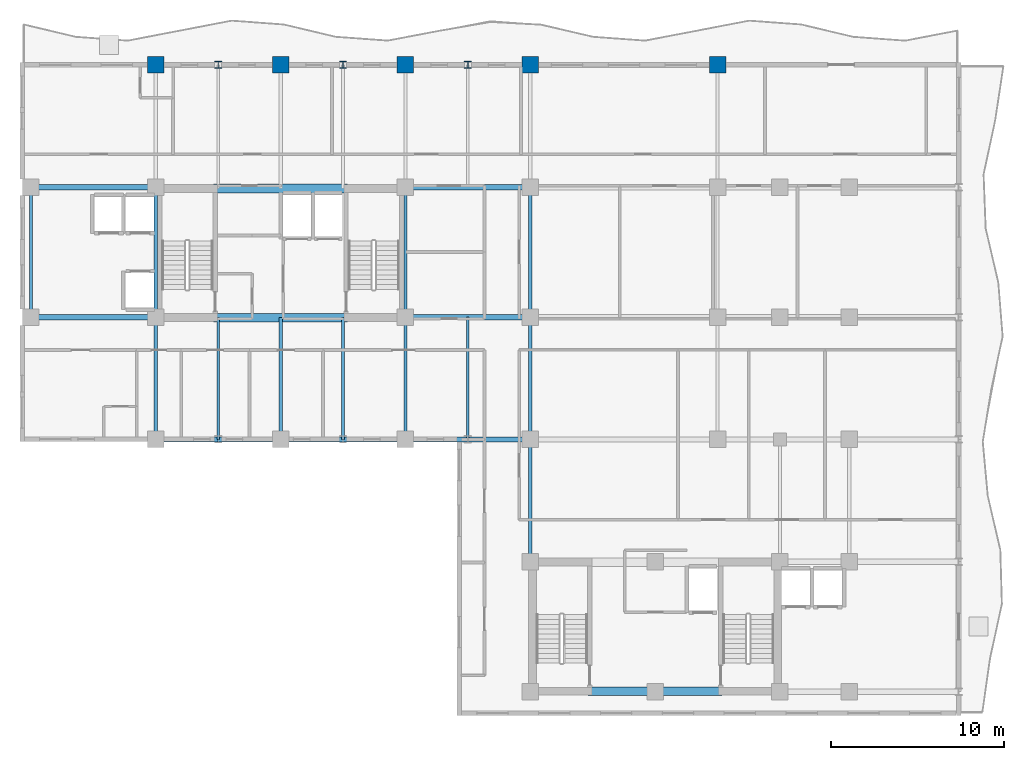
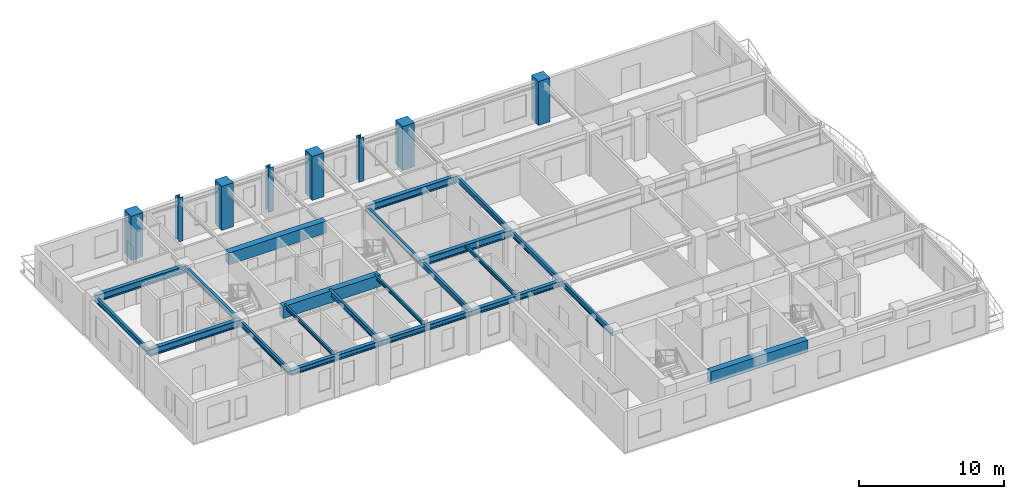
# One storey, part 3 of 13: 25 beams, 8 columns.
"""IFC4 building model written with IfcOpenShell, lengths in metres."""

from ifc_helpers import new_model, si_unit, direction, frame, origin, origin_2d, place, context, subcontext, project, spatial, rectangle, i_section, extrude, source, transform, mapped, material, material_profile, profile_set, type_object, element, save


model = new_model("IFC4")

# Units and contexts
model_context = context("Model", 3, precision=1e-05, world=origin(), true_north=direction((0.0, 1.0)))
body_context = subcontext(model_context, "Body", "Model", "MODEL_VIEW")
ifc_project = project(units=[si_unit("LENGTHUNIT", "METRE"), si_unit("AREAUNIT", "SQUARE_METRE"), si_unit("VOLUMEUNIT", "CUBIC_METRE"), si_unit("PLANEANGLEUNIT", "RADIAN"), si_unit("MASSUNIT", "GRAM", prefix="KILO")], contexts=[model_context])

# Site, building, storey
site_placement = place(None, origin())
site = spatial("IfcSite", under=ifc_project, at=site_placement, CompositionType="ELEMENT")
building_placement = place(site_placement, origin())
building = spatial("IfcBuilding", under=site, at=building_placement, Name="Kaliganga Portal Commons", CompositionType="ELEMENT")
storey_placement = place(building_placement, frame((0.0, 0.0, 209.199951171875)))
storey = spatial("IfcBuildingStorey", under=building, at=storey_placement, Name="L53", CompositionType="ELEMENT", Elevation=209.199951171875)

# Columns
ifc_material_1 = material(Name="Concrete C50/60", Category="concrete")
ifc_material_profile_1 = material_profile(ifc_material_1, rectangle(XDim=0.949951171875, YDim=0.949951171875, at=origin_2d()), Name="RC 950x950")
ifc_profile_set_1 = profile_set([ifc_material_profile_1], Name="Concrete C50/60")
column_type_1 = type_object("IfcColumnType", Name="COL-MEGA-Z4", PredefinedType="COLUMN", material=ifc_profile_set_1)
shared_shape_1 = source(origin(), body_context, "Body", "SweptSolid", [
    extrude(rectangle(XDim=0.949951171875, YDim=0.949951171875, at=origin_2d()), origin(), (0.0, 0.0, 1.0), 3.699951171875),
])
for number, where, z_axis, x_axis, name in (
    (1, (14.39990234375, 43.199951171875, 0.0), (0.0, 0.0, 1.0), (1.0, 0.0, 0.0), "Column MC-05 L53"),
    (2, (21.60009765625, 43.199951171875, 0.0), (0.0, 0.0, 1.0), (1.0, 0.0, 0.0), "Column MC-05 L53"),
    (3, (28.800048828125, 43.199951171875, 0.0), (0.0, 0.0, 1.0), (1.0, 0.0, 0.0), "Column MC-05 L53"),
    (4, (36.0, 43.199951171875, 0.0), (0.0, 0.0, 1.0), (1.0, 0.0, 0.0), "Column MC-05 L53"),
    (5, (46.800048828125, 43.199951171875, 0.0), (0.0, 0.0, 1.0), (1.0, 0.0, 0.0), "Column MC-05 L53"),
):
    element("IfcColumn", number, at=place(storey_placement, frame(where, z_axis=z_axis, x_axis=x_axis)), inside=storey, type_object=column_type_1, Name=name, PredefinedType="COLUMN", context=body_context, shape_type="MappedRepresentation", body=[
        mapped(shared_shape_1, transform((0.0, 0.0, 0.0), x_axis=(1.0, 0.0, 0.0), y_axis=(0.0, 1.0, 0.0), z_axis=(0.0, 0.0, 1.0), scale=1.0)),
    ])
ifc_material_2 = material(Name="Structural steel S355J2", Category="steel")
ifc_material_profile_2 = material_profile(ifc_material_2, i_section(OverallWidth=0.39892578125, OverallDepth=0.39990234375, WebThickness=0.017333984375, FlangeThickness=0.0234375, FilletRadius=0.014892578125, at=origin_2d()), Name="HD 400x287")
ifc_profile_set_2 = profile_set([ifc_material_profile_2], Name="Structural steel S355J2 wide-flange")
column_type_2 = type_object("IfcColumnType", Name="COL-TUBE-B4", PredefinedType="COLUMN", material=ifc_profile_set_2)
shared_shape_2 = source(origin(), body_context, "Body", "SweptSolid", [
    extrude(i_section(OverallWidth=0.39892578125, OverallDepth=0.39990234375, WebThickness=0.017333984375, FlangeThickness=0.0234375, FilletRadius=0.014892578125, at=origin_2d()), origin(), (0.0, 0.0, 1.0), 3.699951171875),
])
for number, where, z_axis, x_axis, name in (
    (6, (18.0, 43.199951171875, 0.0), (0.0, 0.0, 1.0), (1.0, 0.0, 0.0), "Column TC-04 L53"),
    (7, (25.199951171875, 43.199951171875, 0.0), (0.0, 0.0, 1.0), (1.0, 0.0, 0.0), "Column TC-04 L53"),
    (8, (32.39990234375, 43.199951171875, 0.0), (0.0, 0.0, 1.0), (1.0, 0.0, 0.0), "Column TC-04 L53"),
):
    element("IfcColumn", number, at=place(storey_placement, frame(where, z_axis=z_axis, x_axis=x_axis)), inside=storey, type_object=column_type_2, Name=name, PredefinedType="COLUMN", context=body_context, shape_type="MappedRepresentation", body=[
        mapped(shared_shape_2, transform((0.0, 0.0, 0.0), x_axis=(1.0, 0.0, 0.0), y_axis=(0.0, 1.0, 0.0), z_axis=(0.0, 0.0, 1.0), scale=1.0)),
    ])

# Beams
ifc_material_profile_3 = material_profile(ifc_material_1, rectangle(XDim=0.5, YDim=1.0, at=origin_2d()), Name="RC 500x1000")
ifc_profile_set_3 = profile_set([ifc_material_profile_3], Name="Concrete C50/60")
beam_type_1 = type_object("IfcBeamType", Name="BM-CPL-1000", PredefinedType="LINTEL", material=ifc_profile_set_3)
shared_shape_3 = source(origin(), body_context, "Body", "SweptSolid", [
    extrude(rectangle(XDim=0.5, YDim=1.0, at=origin_2d()), origin(), (0.0, 0.0, 1.0), 7.739990234375),
])
for number, where, z_axis, x_axis, name in (
    (9, (17.72998046875, 28.625, 2.969970703125), (1.0, 0.0, 0.0), (0.0, 1.0, 0.0), "BM CPL COREA L53 S"),
    (10, (17.72998046875, 36.074951171875, 2.969970703125), (1.0, 0.0, 0.0), (0.0, 1.0, 0.0), "BM CPL COREA L53 N"),
    (11, (39.330078125, 7.074951171875, 2.969970703125), (1.0, 0.0, 0.0), (0.0, 1.0, 0.0), "BM CPL COREB L53 S"),
):
    element("IfcBeam", number, at=place(storey_placement, frame(where, z_axis=z_axis, x_axis=x_axis)), inside=storey, type_object=beam_type_1, Name=name, PredefinedType="LINTEL", context=body_context, shape_type="MappedRepresentation", body=[
        mapped(shared_shape_3, transform((0.0, 0.0, 0.0), x_axis=(1.0, 0.0, 0.0), y_axis=(0.0, 1.0, 0.0), z_axis=(0.0, 0.0, 1.0), scale=1.0)),
    ])
ifc_material_profile_4 = material_profile(ifc_material_2, i_section(OverallWidth=0.300048828125, OverallDepth=0.449951171875, WebThickness=0.013916015625, FlangeThickness=0.02587890625, FilletRadius=0.027099609375, at=origin_2d()), Name="HE 450 B")
ifc_profile_set_4 = profile_set([ifc_material_profile_4], Name="Structural steel S355J2 wide-flange")
beam_type_2 = type_object("IfcBeamType", Name="BM-SPAND-450", PredefinedType="SPANDREL", material=ifc_profile_set_4)
shared_shape_4 = source(origin(), body_context, "Body", "SweptSolid", [
    extrude(i_section(OverallWidth=0.300048828125, OverallDepth=0.449951171875, WebThickness=0.013916015625, FlangeThickness=0.02587890625, FilletRadius=0.027099609375, at=origin_2d()), origin(), (0.0, 0.0, 1.0), 3.60009765625),
])
for number, where, z_axis, x_axis, name in (
    (12, (14.39990234375, 21.60009765625, 3.2451171875), (1.0, 0.0, 0.0), (0.0, 1.0, 0.0), "BM SP L53 AS 1"),
    (13, (18.0, 21.60009765625, 3.2451171875), (1.0, 0.0, 0.0), (0.0, 1.0, 0.0), "BM SP L53 AS 2"),
    (14, (25.199951171875, 21.60009765625, 3.2451171875), (1.0, 0.0, 0.0), (0.0, 1.0, 0.0), "BM SP L53 AS 4"),
    (15, (32.39990234375, 21.60009765625, 3.2451171875), (1.0, 0.0, 0.0), (0.0, 1.0, 0.0), "BM SP L53 AS 6"),
):
    element("IfcBeam", number, at=place(storey_placement, frame(where, z_axis=z_axis, x_axis=x_axis)), inside=storey, type_object=beam_type_2, Name=name, PredefinedType="SPANDREL", context=body_context, shape_type="MappedRepresentation", body=[
        mapped(shared_shape_4, transform((0.0, 0.0, 0.0), x_axis=(1.0, 0.0, 0.0), y_axis=(0.0, 1.0, 0.0), z_axis=(0.0, 0.0, 1.0), scale=1.0)),
    ])
shared_shape_5 = source(origin(), body_context, "Body", "SweptSolid", [
    extrude(i_section(OverallWidth=0.300048828125, OverallDepth=0.449951171875, WebThickness=0.013916015625, FlangeThickness=0.02587890625, FilletRadius=0.027099609375, at=origin_2d()), origin(), (0.0, 0.0, 1.0), 3.599853515625),
])
for number, where, z_axis, x_axis, name in (
    (16, (21.60009765625, 21.60009765625, 3.2451171875), (1.0, 0.0, 0.0), (0.0, 1.0, 0.0), "BM SP L53 AS 3"),
    (17, (28.800048828125, 21.60009765625, 3.2451171875), (1.0, 0.0, 0.0), (0.0, 1.0, 0.0), "BM SP L53 AS 5"),
):
    element("IfcBeam", number, at=place(storey_placement, frame(where, z_axis=z_axis, x_axis=x_axis)), inside=storey, type_object=beam_type_2, Name=name, PredefinedType="SPANDREL", context=body_context, shape_type="MappedRepresentation", body=[
        mapped(shared_shape_5, transform((0.0, 0.0, 0.0), x_axis=(1.0, 0.0, 0.0), y_axis=(0.0, 1.0, 0.0), z_axis=(0.0, 0.0, 1.0), scale=1.0)),
    ])
ifc_material_profile_5 = material_profile(ifc_material_2, i_section(OverallWidth=0.300048828125, OverallDepth=0.60009765625, WebThickness=0.015380859375, FlangeThickness=0.030029296875, FilletRadius=0.027099609375, at=origin_2d()), Name="HE 600 B")
ifc_profile_set_5 = profile_set([ifc_material_profile_5], Name="Structural steel S355J2 wide-flange")
beam_type_3 = type_object("IfcBeamType", Name="BM-GIRD-600", PredefinedType="USERDEFINED", material=ifc_profile_set_5)
shared_shape_6 = source(origin(), body_context, "Body", "SweptSolid", [
    extrude(i_section(OverallWidth=0.300048828125, OverallDepth=0.60009765625, WebThickness=0.015380859375, FlangeThickness=0.030029296875, FilletRadius=0.027099609375, at=origin_2d()), origin(), (0.0, 0.0, 1.0), 7.199951171875),
])
for number, where, z_axis, x_axis, name in (
    (18, (7.199951171875, 28.64990234375, 3.170166015625), (1.0, 0.0, 0.0), (0.0, 1.0, 0.0), "BM G L53 WAH_S 1"),
    (19, (7.199951171875, 36.14990234375, 3.170166015625), (1.0, 0.0, 0.0), (0.0, 1.0, 0.0), "BM G L53 WAH_N 1"),
    (20, (28.800048828125, 28.64990234375, 3.170166015625), (1.0, 0.0, 0.0), (0.0, 1.0, 0.0), "BM G L53 WAE_S 1"),
    (21, (28.800048828125, 36.14990234375, 3.170166015625), (1.0, 0.0, 0.0), (0.0, 1.0, 0.0), "BM G L53 WAE_N 1"),
):
    element("IfcBeam", number, at=place(storey_placement, frame(where, z_axis=z_axis, x_axis=x_axis)), inside=storey, type_object=beam_type_3, Name=name, ObjectType="GIRDER", PredefinedType="USERDEFINED", context=body_context, shape_type="MappedRepresentation", body=[
        mapped(shared_shape_6, transform((0.0, 0.0, 0.0), x_axis=(1.0, 0.0, 0.0), y_axis=(0.0, 1.0, 0.0), z_axis=(0.0, 0.0, 1.0), scale=1.0)),
    ])
ifc_material_profile_6 = material_profile(ifc_material_2, i_section(OverallWidth=0.18994140625, OverallDepth=0.449951171875, WebThickness=0.009521484375, FlangeThickness=0.0146484375, FilletRadius=0.02099609375, at=origin_2d()), Name="IPE 450")
ifc_profile_set_6 = profile_set([ifc_material_profile_6], Name="Structural steel S355J2 wide-flange")
beam_type_4 = type_object("IfcBeamType", Name="BM-FLR-450", PredefinedType="BEAM", material=ifc_profile_set_6)
shared_shape_7 = source(origin(), body_context, "Body", "SweptSolid", [
    extrude(i_section(OverallWidth=0.18994140625, OverallDepth=0.449951171875, WebThickness=0.009521484375, FlangeThickness=0.0146484375, FilletRadius=0.02099609375, at=origin_2d()), origin(), (0.0, 0.0, 1.0), 7.5),
])
for number, where, z_axis, x_axis, name in (
    (22, (7.199951171875, 28.64990234375, 3.2451171875), (0.0, 1.0, 0.0), (-1.0, 0.0, 0.0), "BM G L53 AW72"),
    (23, (14.39990234375, 28.64990234375, 3.2451171875), (0.0, 1.0, 0.0), (-1.0, 0.0, 0.0), "BM G L53 AM144"),
    (24, (28.800048828125, 28.64990234375, 3.2451171875), (0.0, 1.0, 0.0), (-1.0, 0.0, 0.0), "BM G L53 AM288"),
    (25, (36.0, 28.64990234375, 3.2451171875), (0.0, 1.0, 0.0), (-1.0, 0.0, 0.0), "BM G L53 AM360"),
):
    element("IfcBeam", number, at=place(storey_placement, frame(where, z_axis=z_axis, x_axis=x_axis)), inside=storey, type_object=beam_type_4, Name=name, PredefinedType="BEAM", context=body_context, shape_type="MappedRepresentation", body=[
        mapped(shared_shape_7, transform((0.0, 0.0, 0.0), x_axis=(1.0, 0.0, 0.0), y_axis=(0.0, 1.0, 0.0), z_axis=(0.0, 0.0, 1.0), scale=1.0)),
    ])
shared_shape_8 = source(origin(), body_context, "Body", "SweptSolid", [
    extrude(i_section(OverallWidth=0.18994140625, OverallDepth=0.449951171875, WebThickness=0.009521484375, FlangeThickness=0.0146484375, FilletRadius=0.02099609375, at=origin_2d()), origin(), (0.0, 0.0, 1.0), 7.050048828125),
])
beam_1_placement = place(storey_placement, frame((36.0, 14.550048828125, 3.2451171875), z_axis=(0.0, 1.0, 0.0), x_axis=(-1.0, 0.0, 0.0)))
element("IfcBeam", 26, at=beam_1_placement, inside=storey, type_object=beam_type_4, Name="BM G L53 BNK360", PredefinedType="BEAM", context=body_context, shape_type="MappedRepresentation", body=[
    mapped(shared_shape_8, transform((0.0, 0.0, 0.0), x_axis=(1.0, 0.0, 0.0), y_axis=(0.0, 1.0, 0.0), z_axis=(0.0, 0.0, 1.0), scale=1.0)),
])
shared_shape_9 = source(origin(), body_context, "Body", "SweptSolid", [
    extrude(i_section(OverallWidth=0.18994140625, OverallDepth=0.449951171875, WebThickness=0.009521484375, FlangeThickness=0.0146484375, FilletRadius=0.02099609375, at=origin_2d()), origin(), (0.0, 0.0, 1.0), 7.0498046875),
])
for number, where, z_axis, x_axis, name in (
    (27, (14.39990234375, 21.60009765625, 3.2451171875), (0.0, 1.0, 0.0), (-1.0, 0.0, 0.0), "BM G L53 AS144"),
    (28, (28.800048828125, 21.60009765625, 3.2451171875), (0.0, 1.0, 0.0), (-1.0, 0.0, 0.0), "BM G L53 AS288"),
    (29, (36.0, 21.60009765625, 3.2451171875), (0.0, 1.0, 0.0), (-1.0, 0.0, 0.0), "BM G L53 AS360"),
):
    element("IfcBeam", number, at=place(storey_placement, frame(where, z_axis=z_axis, x_axis=x_axis)), inside=storey, type_object=beam_type_4, Name=name, PredefinedType="BEAM", context=body_context, shape_type="MappedRepresentation", body=[
        mapped(shared_shape_9, transform((0.0, 0.0, 0.0), x_axis=(1.0, 0.0, 0.0), y_axis=(0.0, 1.0, 0.0), z_axis=(0.0, 0.0, 1.0), scale=1.0)),
    ])
ifc_material_profile_7 = material_profile(ifc_material_2, i_section(OverallWidth=0.14990234375, OverallDepth=0.300048828125, WebThickness=0.007080078125, FlangeThickness=0.0107421875, FilletRadius=0.014892578125, at=origin_2d()), Name="IPE 300")
ifc_profile_set_7 = profile_set([ifc_material_profile_7], Name="Structural steel S355J2 wide-flange")
beam_type_5 = type_object("IfcBeamType", Name="BM-JST-300", PredefinedType="JOIST", material=ifc_profile_set_7)
shared_shape_10 = source(origin(), body_context, "Body", "SweptSolid", [
    extrude(i_section(OverallWidth=0.14990234375, OverallDepth=0.300048828125, WebThickness=0.007080078125, FlangeThickness=0.0107421875, FilletRadius=0.014892578125, at=origin_2d()), origin(), (0.0, 0.0, 1.0), 7.02490234375),
])
for number, where, z_axis, x_axis, name in (
    (30, (18.0, 21.60009765625, 3.320068359375), (0.0, 1.0, 0.0), (-1.0, 0.0, 0.0), "BM G L53 AS180"),
    (31, (25.199951171875, 21.60009765625, 3.320068359375), (0.0, 1.0, 0.0), (-1.0, 0.0, 0.0), "BM G L53 AS252"),
):
    element("IfcBeam", number, at=place(storey_placement, frame(where, z_axis=z_axis, x_axis=x_axis)), inside=storey, type_object=beam_type_5, Name=name, PredefinedType="JOIST", context=body_context, shape_type="MappedRepresentation", body=[
        mapped(shared_shape_10, transform((0.0, 0.0, 0.0), x_axis=(1.0, 0.0, 0.0), y_axis=(0.0, 1.0, 0.0), z_axis=(0.0, 0.0, 1.0), scale=1.0)),
    ])
shared_shape_11 = source(origin(), body_context, "Body", "SweptSolid", [
    extrude(i_section(OverallWidth=0.18994140625, OverallDepth=0.449951171875, WebThickness=0.009521484375, FlangeThickness=0.0146484375, FilletRadius=0.02099609375, at=origin_2d()), origin(), (0.0, 0.0, 1.0), 7.02490234375),
])
beam_2_placement = place(storey_placement, frame((21.60009765625, 21.60009765625, 3.2451171875), z_axis=(0.0, 1.0, 0.0), x_axis=(-1.0, 0.0, 0.0)))
element("IfcBeam", 32, at=beam_2_placement, inside=storey, type_object=beam_type_4, Name="BM G L53 AS216", PredefinedType="BEAM", context=body_context, shape_type="MappedRepresentation", body=[
    mapped(shared_shape_11, transform((0.0, 0.0, 0.0), x_axis=(1.0, 0.0, 0.0), y_axis=(0.0, 1.0, 0.0), z_axis=(0.0, 0.0, 1.0), scale=1.0)),
])
shared_shape_12 = source(origin(), body_context, "Body", "SweptSolid", [
    extrude(i_section(OverallWidth=0.14990234375, OverallDepth=0.300048828125, WebThickness=0.007080078125, FlangeThickness=0.0107421875, FilletRadius=0.014892578125, at=origin_2d()), origin(), (0.0, 0.0, 1.0), 7.0498046875),
])
beam_3_placement = place(storey_placement, frame((32.39990234375, 21.60009765625, 3.320068359375), z_axis=(0.0, 1.0, 0.0), x_axis=(-1.0, 0.0, 0.0)))
element("IfcBeam", 33, at=beam_3_placement, inside=storey, type_object=beam_type_5, Name="BM G L53 AS324", PredefinedType="JOIST", context=body_context, shape_type="MappedRepresentation", body=[
    mapped(shared_shape_12, transform((0.0, 0.0, 0.0), x_axis=(1.0, 0.0, 0.0), y_axis=(0.0, 1.0, 0.0), z_axis=(0.0, 0.0, 1.0), scale=1.0)),
])

save(model, "model.ifc")
